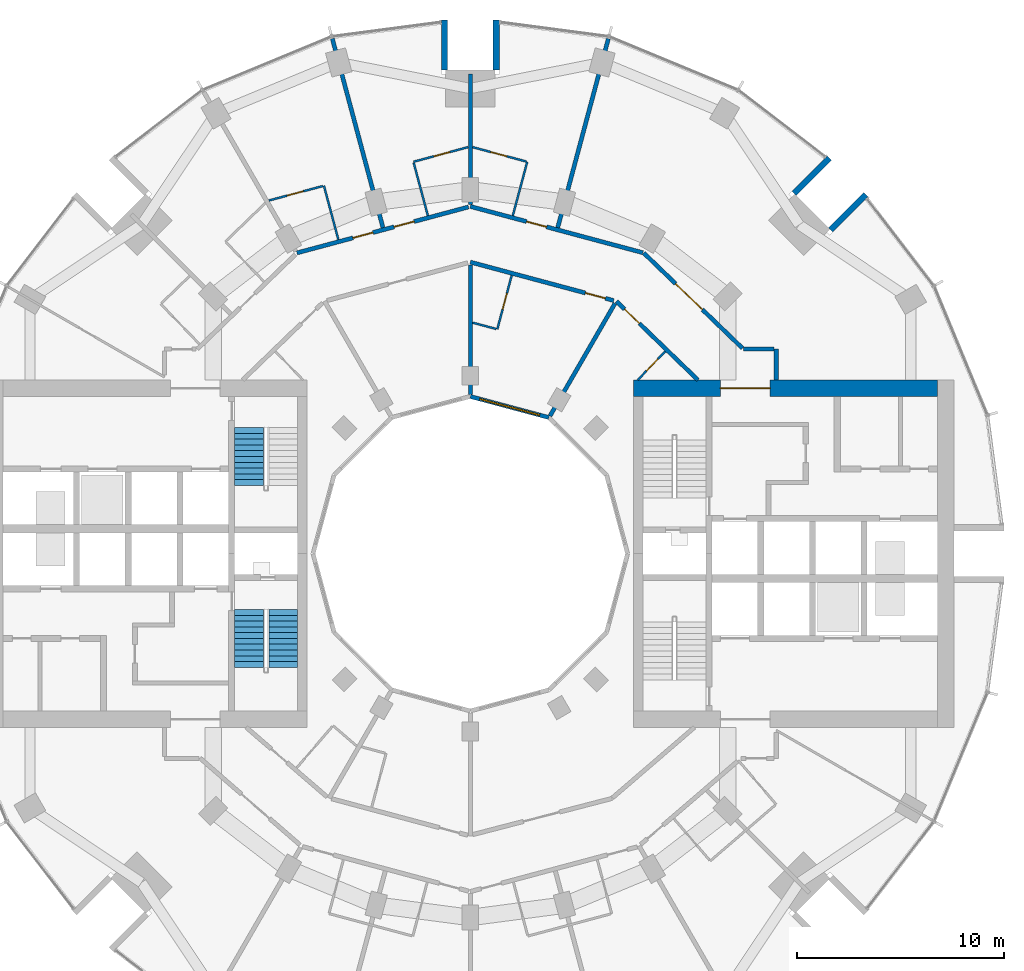
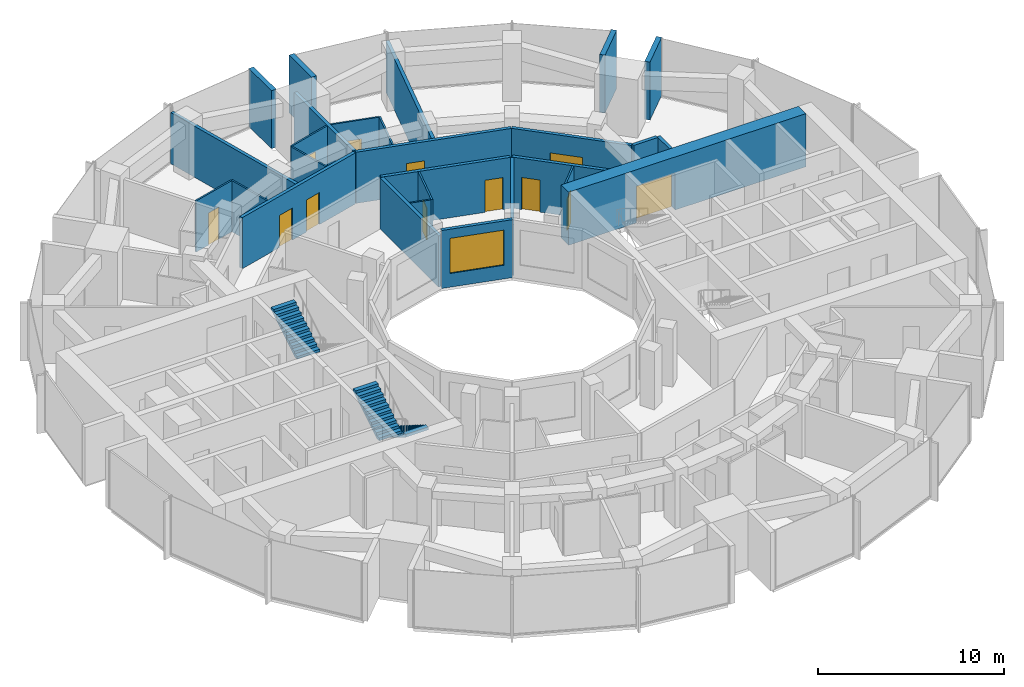
# One storey, part 12 of 15: 27 walls, 12 doors, 3 stair flights, 1 window, 13 openings, 2 elements without a shape of their own.
"""IFC4 building model written with IfcOpenShell, lengths in metres."""

from ifc_helpers import new_model, si_unit, direction, frame, frame_2d, origin, place, context, subcontext, project, spatial, polyline, rectangle, outline, extrude, material, layer, layer_set, type_object, element, fill, aggregate, save


model = new_model("IFC4")

# Units and contexts
model_context = context("Model", 3, precision=1e-05, world=origin(), true_north=direction((0.0, 1.0)))
body_context = subcontext(model_context, "Body", "Model", "MODEL_VIEW")
ifc_project = project(units=[si_unit("LENGTHUNIT", "METRE"), si_unit("AREAUNIT", "SQUARE_METRE"), si_unit("VOLUMEUNIT", "CUBIC_METRE"), si_unit("PLANEANGLEUNIT", "RADIAN"), si_unit("MASSUNIT", "GRAM", prefix="KILO")], contexts=[model_context])

# Site, building, storey
site_placement = place(None, origin())
site = spatial("IfcSite", under=ifc_project, at=site_placement, CompositionType="ELEMENT")
building_placement = place(site_placement, origin())
building = spatial("IfcBuilding", under=site, at=building_placement, Name="Torre Brocal", CompositionType="ELEMENT")
storey_placement = place(building_placement, frame((0.0, 0.0, 66.800048828125)))
storey = spatial("IfcBuildingStorey", under=building, at=storey_placement, Name="L15", CompositionType="ELEMENT", Elevation=66.800048828125)

# Wall, opening, door
ifc_material_1 = material(Name="Concrete C80", Category="concrete")
ifc_layer_1 = layer(ifc_material_1, 0.800048828125)
ifc_layer_set_1 = layer_set([ifc_layer_1], Name="Concrete C80")
wall_type_1 = type_object("IfcWallType", Name="CORE WALL 800 C80", PredefinedType="SHEAR", material=ifc_layer_set_1)
wall_1_placement = place(storey_placement, frame((87.89990234375, 83.0, 0.0), z_axis=(0.0, 0.0, 1.0), x_axis=(1.0, 0.0, 0.0)))
wall_1 = element("IfcWall", 1, at=wall_1_placement, inside=storey, type_object=wall_type_1, Name="Wall CW800-80", PredefinedType="SHEAR", context=body_context, shape_type="SweptSolid", body=[
    extrude(rectangle(XDim=14.7001953125, YDim=0.800048828125, at=frame_2d((7.35009765625, 0.0))), origin(), (0.0, 0.0, 1.0), 3.47998046875),
])
opening_1_placement = place(wall_1_placement, frame((4.199951171875, 0.0, 0.0)))
opening_1 = element("IfcOpeningElement", 2, at=opening_1_placement, cuts=wall_1, Name="Opening E-D24", PredefinedType="OPENING", context=body_context, shape_type="SweptSolid", body=[
    extrude(rectangle(XDim=2.39990234375, YDim=2.39990234375, at=frame_2d((1.199951171875, 1.199951171875))), frame((0.0, 0.409912109375, 0.0), z_axis=(0.0, -1.0, 0.0), x_axis=(1.0, 0.0, 0.0)), (0.0, 0.0, 1.0), 0.820068359375),
])
ifc_material_2 = material(Name="Steel A653", Category="steel")
door_type_1 = type_object("IfcDoorType", Name="DOUBLE FIRE DOOR FD90 2400X2400", OperationType="DOUBLE_DOOR_SINGLE_SWING", PredefinedType="DOOR", material=ifc_material_2)
door_1_placement = place(opening_1_placement, frame((2.39990234375, 0.0, 0.0), z_axis=(0.0, 0.0, 1.0), x_axis=(-1.0, 0.0, 0.0)))
door_1 = element("IfcDoor", 3, at=door_1_placement, inside=storey, type_object=door_type_1, Name="Door E-D24", OperationType="DOUBLE_DOOR_SINGLE_SWING", OverallHeight=2.39990234375, OverallWidth=2.39990234375, PredefinedType="DOOR", context=body_context, shape_type="SweptSolid", body=[
    extrude(rectangle(XDim=2.39990234375, YDim=2.39990234375, at=frame_2d((1.199951171875, 1.199951171875))), frame((0.0, 0.02490234375, 0.0), z_axis=(0.0, -1.0, 0.0), x_axis=(1.0, 0.0, 0.0)), (0.0, 0.0, 1.0), 0.050048828125),
])
fill(opening_1, door_1)

# Walls
ifc_material_3 = material(Name="Concrete C80", Category="concrete")
ifc_layer_2 = layer(ifc_material_3, 0.300048828125)
ifc_layer_set_2 = layer_set([ifc_layer_2], Name="Concrete C80")
wall_type_2 = type_object("IfcWallType", Name="NOTCH RETURN WALL 300 C80", PredefinedType="NOTDEFINED", material=ifc_layer_set_2)
for number, where, z_axis, x_axis, name in (
    (4, (97.43017578125, 90.662353515625, 0.0), (0.0, 0.0, 1.0), (0.707106781187, 0.707106781187, 0.0), "NOTCH RETURN WALL"),
    (5, (95.662353515625, 92.43017578125, 0.0), (0.0, 0.0, 1.0), (0.707106781187, 0.707106781187, 0.0), "NOTCH RETURN WALL"),
    (6, (81.25, 98.39990234375, 0.0), (0.0, 0.0, 1.0), (0.0, 1.0, 0.0), "NOTCH RETURN WALL"),
    (7, (78.75, 98.39990234375, 0.0), (0.0, 0.0, 1.0), (0.0, 1.0, 0.0), "NOTCH RETURN WALL"),
):
    element("IfcWall", number, at=place(storey_placement, frame(where, z_axis=z_axis, x_axis=x_axis)), inside=storey, type_object=wall_type_2, Name=name, PredefinedType="NOTDEFINED", context=body_context, shape_type="SweptSolid", body=[
        extrude(rectangle(XDim=2.415771484375, YDim=0.300048828125, at=frame_2d((1.2080078125, 0.0))), origin(), (0.0, 0.0, 1.0), 3.800048828125),
    ])

# Wall, opening, door
ifc_material_4 = material(Name="Gypsum board", Category="Gypsum")
ifc_layer_3 = layer(ifc_material_4, 0.10009765625)
ifc_layer_set_3 = layer_set([ifc_layer_3], Name="Gypsum board")
wall_type_3 = type_object("IfcWallType", Name="PARTITION 100", PredefinedType="PARTITIONING", material=ifc_layer_set_3)
wall_2_placement = place(storey_placement, frame((70.25830078125, 92.084716796875, 0.0), z_axis=(0.0, 0.0, 1.0), x_axis=(0.965948051503, 0.258736085224, 0.0)))
wall_2 = element("IfcWall", 8, at=wall_2_placement, inside=storey, type_object=wall_type_3, Name="BATHROOM WALL", PredefinedType="PARTITIONING", context=body_context, shape_type="SweptSolid", body=[
    extrude(rectangle(XDim=2.703369140625, YDim=0.10009765625, at=frame_2d((1.3515625, 0.0))), origin(), (0.0, 0.0, 1.0), 3.349853515625),
])
opening_2_placement = place(wall_2_placement, frame((0.921630859375, 0.0, 0.0)))
opening_2 = element("IfcOpeningElement", 9, at=opening_2_placement, cuts=wall_2, Name="Opening H04-D07", PredefinedType="OPENING", context=body_context, shape_type="SweptSolid", body=[
    extrude(rectangle(XDim=0.800048828125, YDim=2.10009765625, at=frame_2d((0.39990234375, 1.050048828125))), frame((0.0, 0.06005859375, 0.0), z_axis=(0.0, -1.0, 0.0), x_axis=(1.0, 0.0, 0.0)), (0.0, 0.0, 1.0), 0.1201171875),
])
ifc_material_5 = material(Name="Timber", Category="wood")
door_type_2 = type_object("IfcDoorType", Name="BATHROOM DOOR 800X2100", OperationType="SINGLE_SWING_LEFT", PredefinedType="DOOR", material=ifc_material_5)
door_2_placement = place(opening_2_placement, frame((0.800048828125, 0.0, 0.0), z_axis=(0.0, 0.0, 1.0), x_axis=(-1.0, 0.0, 0.0)))
door_2 = element("IfcDoor", 10, at=door_2_placement, inside=storey, type_object=door_type_2, Name="H04-D07", OperationType="SINGLE_SWING_RIGHT", OverallHeight=2.10009765625, OverallWidth=0.800048828125, PredefinedType="DOOR", context=body_context, shape_type="SweptSolid", body=[
    extrude(rectangle(XDim=0.800048828125, YDim=2.10009765625, at=frame_2d((0.39990234375, 1.050048828125))), frame((0.0, 0.02490234375, 0.0), z_axis=(0.0, -1.0, 0.0), x_axis=(1.0, 0.0, 0.0)), (0.0, 0.0, 1.0), 0.050048828125),
])
fill(opening_2, door_2)

# Walls
wall_3_placement = place(storey_placement, frame((72.91796875, 92.797119140625, 0.0), z_axis=(0.0, 0.0, 1.0), x_axis=(0.25867580527, -0.965964195904, 0.0)))
element("IfcWall", 11, at=wall_3_placement, inside=storey, type_object=wall_type_3, Name="BATHROOM WALL", PredefinedType="PARTITIONING", context=body_context, shape_type="SweptSolid", body=[
    extrude(rectangle(XDim=2.69921875, YDim=0.10009765625, at=frame_2d((1.349609375, 0.0))), origin(), (0.0, 0.0, 1.0), 3.349853515625),
])
wall_4_placement = place(storey_placement, frame((77.260009765625, 93.90869140625, 0.0), z_axis=(0.0, 0.0, 1.0), x_axis=(0.258935674139, -0.965894568086, 0.0)))
element("IfcWall", 12, at=wall_4_placement, inside=storey, type_object=wall_type_3, Name="BATHROOM WALL", PredefinedType="PARTITIONING", context=body_context, shape_type="SweptSolid", body=[
    extrude(rectangle(XDim=2.6494140625, YDim=0.10009765625, at=frame_2d((1.32470703125, 0.0))), origin(), (0.0, 0.0, 1.0), 3.349853515625),
])

# Wall, opening, door
wall_5_placement = place(storey_placement, frame((77.2470703125, 93.956787109375, 0.0), z_axis=(0.0, 0.0, 1.0), x_axis=(0.965922199757, 0.258832579125, 0.0)))
wall_5 = element("IfcWall", 13, at=wall_5_placement, inside=storey, type_object=wall_type_3, Name="BATHROOM WALL", PredefinedType="PARTITIONING", context=body_context, shape_type="SweptSolid", body=[
    extrude(rectangle(XDim=2.739990234375, YDim=0.10009765625, at=frame_2d((1.3701171875, 0.0))), origin(), (0.0, 0.0, 1.0), 3.349853515625),
])
opening_3_placement = place(wall_5_placement, frame((1.025146484375, 0.0, 0.0)))
opening_3 = element("IfcOpeningElement", 14, at=opening_3_placement, cuts=wall_5, Name="Opening H04-D05", PredefinedType="OPENING", context=body_context, shape_type="SweptSolid", body=[
    extrude(rectangle(XDim=0.800048828125, YDim=2.10009765625, at=frame_2d((0.39990234375, 1.050048828125))), frame((0.0, 0.06005859375, 0.0), z_axis=(0.0, -1.0, 0.0), x_axis=(1.0, 0.0, 0.0)), (0.0, 0.0, 1.0), 0.1201171875),
])
door_3_placement = place(opening_3_placement, frame((0.800048828125, 0.0, 0.0), z_axis=(0.0, 0.0, 1.0), x_axis=(-1.0, 0.0, 0.0)))
door_3 = element("IfcDoor", 15, at=door_3_placement, inside=storey, type_object=door_type_2, Name="H04-D05", OperationType="SINGLE_SWING_LEFT", OverallHeight=2.10009765625, OverallWidth=0.800048828125, PredefinedType="DOOR", context=body_context, shape_type="SweptSolid", body=[
    extrude(rectangle(XDim=0.800048828125, YDim=2.10009765625, at=frame_2d((0.39990234375, 1.050048828125))), frame((0.0, 0.02490234375, 0.0), z_axis=(0.0, -1.0, 0.0), x_axis=(1.0, 0.0, 0.0)), (0.0, 0.0, 1.0), 0.050048828125),
])
fill(opening_3, door_3)

# Wall
wall_6_placement = place(storey_placement, frame((80.106201171875, 86.176513671875, 0.0), z_axis=(0.0, 0.0, 1.0), x_axis=(0.966002973184, -0.258530957139, 0.0)))
element("IfcWall", 16, at=wall_6_placement, inside=storey, type_object=wall_type_3, Name="BATHROOM WALL", PredefinedType="PARTITIONING", context=body_context, shape_type="SweptSolid", body=[
    extrude(rectangle(XDim=1.18994140625, YDim=0.10009765625, at=frame_2d((0.594970703125, 0.0))), origin(), (0.0, 0.0, 1.0), 3.349853515625),
])

# Wall, opening, door
wall_7_placement = place(storey_placement, frame((80.106201171875, 94.66650390625, 0.0), z_axis=(0.0, 0.0, 1.0), x_axis=(0.96589821458, -0.258922071427, 0.0)))
wall_7 = element("IfcWall", 17, at=wall_7_placement, inside=storey, type_object=wall_type_3, Name="BATHROOM WALL", PredefinedType="PARTITIONING", context=body_context, shape_type="SweptSolid", body=[
    extrude(rectangle(XDim=2.690185546875, YDim=0.10009765625, at=frame_2d((1.34521484375, 0.0))), origin(), (0.0, 0.0, 1.0), 3.349853515625),
])
opening_4_placement = place(wall_7_placement, frame((0.9150390625, 0.0, 0.0)))
opening_4 = element("IfcOpeningElement", 18, at=opening_4_placement, cuts=wall_7, Name="Opening H04-D03", PredefinedType="OPENING", context=body_context, shape_type="SweptSolid", body=[
    extrude(rectangle(XDim=0.800048828125, YDim=2.10009765625, at=frame_2d((0.39990234375, 1.050048828125))), frame((0.0, 0.06005859375, 0.0), z_axis=(0.0, -1.0, 0.0), x_axis=(1.0, 0.0, 0.0)), (0.0, 0.0, 1.0), 0.1201171875),
])
door_4_placement = place(opening_4_placement, frame((0.800048828125, 0.0, 0.0), z_axis=(0.0, 0.0, 1.0), x_axis=(-1.0, 0.0, 0.0)))
door_4 = element("IfcDoor", 19, at=door_4_placement, inside=storey, type_object=door_type_2, Name="H04-D03", OperationType="SINGLE_SWING_RIGHT", OverallHeight=2.10009765625, OverallWidth=0.800048828125, PredefinedType="DOOR", context=body_context, shape_type="SweptSolid", body=[
    extrude(rectangle(XDim=0.800048828125, YDim=2.10009765625, at=frame_2d((0.39990234375, 1.050048828125))), frame((0.0, 0.02490234375, 0.0), z_axis=(0.0, -1.0, 0.0), x_axis=(1.0, 0.0, 0.0)), (0.0, 0.0, 1.0), 0.050048828125),
])
fill(opening_4, door_4)

wall_8_placement = place(storey_placement, frame((81.303955078125, 85.85595703125, 0.0), z_axis=(0.0, 0.0, 1.0), x_axis=(0.25867580527, 0.965964195904, 0.0)))
wall_8 = element("IfcWall", 20, at=wall_8_placement, inside=storey, type_object=wall_type_3, Name="BATHROOM WALL", PredefinedType="PARTITIONING", context=body_context, shape_type="SweptSolid", body=[
    extrude(rectangle(XDim=2.69921875, YDim=0.10009765625, at=frame_2d((1.349609375, 0.0))), origin(), (0.0, 0.0, 1.0), 3.349853515625),
])
opening_5_placement = place(wall_8_placement, frame((0.99951171875, 0.0, 0.0)))
opening_5 = element("IfcOpeningElement", 21, at=opening_5_placement, cuts=wall_8, Name="Opening H04-D16", PredefinedType="OPENING", context=body_context, shape_type="SweptSolid", body=[
    extrude(rectangle(XDim=0.800048828125, YDim=2.10009765625, at=frame_2d((0.39990234375, 1.050048828125))), frame((0.0, 0.06005859375, 0.0), z_axis=(0.0, -1.0, 0.0), x_axis=(1.0, 0.0, 0.0)), (0.0, 0.0, 1.0), 0.1201171875),
])
door_5_placement = place(opening_5_placement, origin())
door_5 = element("IfcDoor", 22, at=door_5_placement, inside=storey, type_object=door_type_2, Name="H04-D16", OperationType="SINGLE_SWING_RIGHT", OverallHeight=2.10009765625, OverallWidth=0.800048828125, PredefinedType="DOOR", context=body_context, shape_type="SweptSolid", body=[
    extrude(rectangle(XDim=0.800048828125, YDim=2.10009765625, at=frame_2d((0.39990234375, 1.050048828125))), frame((0.0, 0.02490234375, 0.0), z_axis=(0.0, -1.0, 0.0), x_axis=(1.0, 0.0, 0.0)), (0.0, 0.0, 1.0), 0.050048828125),
])
fill(opening_5, door_5)

# Wall
wall_9_placement = place(storey_placement, frame((82.053955078125, 91.349609375, 0.0), z_axis=(0.0, 0.0, 1.0), x_axis=(0.258928960762, 0.965896367774, 0.0)))
element("IfcWall", 23, at=wall_9_placement, inside=storey, type_object=wall_type_3, Name="BATHROOM WALL", PredefinedType="PARTITIONING", context=body_context, shape_type="SweptSolid", body=[
    extrude(rectangle(XDim=2.699462890625, YDim=0.10009765625, at=frame_2d((1.349609375, 0.0))), origin(), (0.0, 0.0, 1.0), 3.349853515625),
])

# Wall, opening, door
wall_10_placement = place(storey_placement, frame((88.094970703125, 83.39990234375, 0.0), z_axis=(0.0, 0.0, 1.0), x_axis=(0.694447472534, 0.719543402368, 0.0)))
wall_10 = element("IfcWall", 24, at=wall_10_placement, inside=storey, type_object=wall_type_3, Name="BATHROOM WALL", PredefinedType="PARTITIONING", context=body_context, shape_type="SweptSolid", body=[
    extrude(rectangle(XDim=1.92626953125, YDim=0.10009765625, at=frame_2d((0.963134765625, 0.0))), origin(), (0.0, 0.0, 1.0), 3.349853515625),
])
opening_6_placement = place(wall_10_placement, frame((0.613037109375, 0.0, 0.0)))
opening_6 = element("IfcOpeningElement", 25, at=opening_6_placement, cuts=wall_10, Name="Opening H04-D14", PredefinedType="OPENING", context=body_context, shape_type="SweptSolid", body=[
    extrude(rectangle(XDim=0.800048828125, YDim=2.10009765625, at=frame_2d((0.39990234375, 1.050048828125))), frame((0.0, 0.06005859375, 0.0), z_axis=(0.0, -1.0, 0.0), x_axis=(1.0, 0.0, 0.0)), (0.0, 0.0, 1.0), 0.1201171875),
])
door_6_placement = place(opening_6_placement, frame((0.800048828125, 0.0, 0.0), z_axis=(0.0, 0.0, 1.0), x_axis=(-1.0, 0.0, 0.0)))
door_6 = element("IfcDoor", 26, at=door_6_placement, inside=storey, type_object=door_type_2, Name="H04-D14", OperationType="SINGLE_SWING_LEFT", OverallHeight=2.10009765625, OverallWidth=0.800048828125, PredefinedType="DOOR", context=body_context, shape_type="SweptSolid", body=[
    extrude(rectangle(XDim=0.800048828125, YDim=2.10009765625, at=frame_2d((0.39990234375, 1.050048828125))), frame((0.0, 0.02490234375, 0.0), z_axis=(0.0, -1.0, 0.0), x_axis=(1.0, 0.0, 0.0)), (0.0, 0.0, 1.0), 0.050048828125),
])
fill(opening_6, door_6)

# Wall, openings, doors
ifc_material_6 = material(Name="Gypsum board", Category="Gypsum")
ifc_layer_4 = layer(ifc_material_6, 0.199951171875)
ifc_layer_set_4 = layer_set([ifc_layer_4], Name="Gypsum board")
wall_type_4 = type_object("IfcWallType", Name="PARTITION 200 EI60", PredefinedType="PARTITIONING", material=ifc_layer_set_4)
wall_11_placement = place(storey_placement, frame((71.61376953125, 89.5498046875, 0.0), z_axis=(0.0, 0.0, 1.0), x_axis=(0.965982156828, 0.258608725086, 0.0)))
wall_11 = element("IfcWall", 27, at=wall_11_placement, inside=storey, type_object=wall_type_4, Name="GUESTROOM CORRIDOR WALL", PredefinedType="PARTITIONING", context=body_context, shape_type="SweptSolid", body=[
    extrude(rectangle(XDim=8.591796875, YDim=0.199951171875, at=frame_2d((4.2958984375, 0.0))), origin(), (0.0, 0.0, 1.0), 3.349853515625),
])
opening_7_placement = place(wall_11_placement, frame((4.864990234375, 0.0, 0.0)))
opening_7 = element("IfcOpeningElement", 28, at=opening_7_placement, cuts=wall_11, Name="Opening H04-D04", PredefinedType="OPENING", context=body_context, shape_type="SweptSolid", body=[
    extrude(rectangle(XDim=1.0, YDim=2.10009765625, at=frame_2d((0.5, 1.050048828125))), frame((0.0, 0.10986328125, 0.0), z_axis=(0.0, -1.0, 0.0), x_axis=(1.0, 0.0, 0.0)), (0.0, 0.0, 1.0), 0.219970703125),
])
opening_8_placement = place(wall_11_placement, frame((2.804443359375, 0.0, 0.0)))
opening_8 = element("IfcOpeningElement", 29, at=opening_8_placement, cuts=wall_11, Name="Opening H04-D06", PredefinedType="OPENING", context=body_context, shape_type="SweptSolid", body=[
    extrude(rectangle(XDim=1.0, YDim=2.10009765625, at=frame_2d((0.5, 1.050048828125))), frame((0.0, 0.10986328125, 0.0), z_axis=(0.0, -1.0, 0.0), x_axis=(1.0, 0.0, 0.0)), (0.0, 0.0, 1.0), 0.219970703125),
])
ifc_material_7 = material(Name="Timber", Category="wood")
door_type_3 = type_object("IfcDoorType", Name="FLAT ENTRY DOOR FD30S 1000X2100", OperationType="SINGLE_SWING_RIGHT", PredefinedType="DOOR", material=ifc_material_7)
door_7_placement = place(opening_7_placement, origin())
door_7 = element("IfcDoor", 30, at=door_7_placement, inside=storey, type_object=door_type_3, Name="H04-D04", OperationType="SINGLE_SWING_LEFT", OverallHeight=2.10009765625, OverallWidth=1.0, PredefinedType="DOOR", context=body_context, shape_type="SweptSolid", body=[
    extrude(rectangle(XDim=1.0, YDim=2.10009765625, at=frame_2d((0.5, 1.050048828125))), frame((0.0, 0.02490234375, 0.0), z_axis=(0.0, -1.0, 0.0), x_axis=(1.0, 0.0, 0.0)), (0.0, 0.0, 1.0), 0.050048828125),
])
fill(opening_7, door_7)
door_8_placement = place(opening_8_placement, origin())
door_8 = element("IfcDoor", 31, at=door_8_placement, inside=storey, type_object=door_type_3, Name="H04-D06", OperationType="SINGLE_SWING_RIGHT", OverallHeight=2.10009765625, OverallWidth=1.0, PredefinedType="DOOR", context=body_context, shape_type="SweptSolid", body=[
    extrude(rectangle(XDim=1.0, YDim=2.10009765625, at=frame_2d((0.5, 1.050048828125))), frame((0.0, 0.02490234375, 0.0), z_axis=(0.0, -1.0, 0.0), x_axis=(1.0, 0.0, 0.0)), (0.0, 0.0, 1.0), 0.050048828125),
])
fill(opening_8, door_8)

# Walls
wall_12_placement = place(storey_placement, frame((73.322998046875, 99.919189453125, 0.0), z_axis=(0.0, 0.0, 1.0), x_axis=(0.258817230439, -0.965926312525, 0.0)))
element("IfcWall", 32, at=wall_12_placement, inside=storey, type_object=wall_type_4, Name="PARTY PARTITION", PredefinedType="PARTITIONING", context=body_context, shape_type="SweptSolid", body=[
    extrude(rectangle(XDim=9.474365234375, YDim=0.199951171875, at=frame_2d((4.7373046875, 0.0))), origin(), (0.0, 0.0, 1.0), 3.349853515625),
])
wall_13_placement = place(storey_placement, frame((80.0, 82.698974609375, 0.0), z_axis=(0.0, 0.0, 1.0), x_axis=(0.0, 1.0, 0.0)))
element("IfcWall", 33, at=wall_13_placement, inside=storey, type_object=wall_type_4, Name="BATHROOM WALL", PredefinedType="PARTITIONING", context=body_context, shape_type="SweptSolid", body=[
    extrude(rectangle(XDim=6.275146484375, YDim=0.199951171875, at=frame_2d((3.1376953125, 0.0))), origin(), (0.0, 0.0, 1.0), 3.349853515625),
])

# Wall, opening, door
wall_14_placement = place(storey_placement, frame((80.0, 89.10400390625, 0.0), z_axis=(0.0, 0.0, 1.0), x_axis=(0.965854247166, -0.25908603442, 0.0)))
wall_14 = element("IfcWall", 34, at=wall_14_placement, inside=storey, type_object=wall_type_4, Name="GUESTROOM CORRIDOR WALL", PredefinedType="PARTITIONING", context=body_context, shape_type="SweptSolid", body=[
    extrude(rectangle(XDim=7.183349609375, YDim=0.199951171875, at=frame_2d((3.591796875, 0.0))), origin(), (0.0, 0.0, 1.0), 3.349853515625),
])
opening_9_placement = place(wall_14_placement, frame((5.76318359375, 0.0, 0.0)))
opening_9 = element("IfcOpeningElement", 35, at=opening_9_placement, cuts=wall_14, Name="Opening H04-D15", PredefinedType="OPENING", context=body_context, shape_type="SweptSolid", body=[
    extrude(rectangle(XDim=1.0, YDim=2.10009765625, at=frame_2d((0.5, 1.050048828125))), frame((0.0, 0.10986328125, 0.0), z_axis=(0.0, -1.0, 0.0), x_axis=(1.0, 0.0, 0.0)), (0.0, 0.0, 1.0), 0.219970703125),
])
door_9_placement = place(opening_9_placement, frame((1.0, 0.0, 0.0), z_axis=(0.0, 0.0, 1.0), x_axis=(-1.0, 0.0, 0.0)))
door_9 = element("IfcDoor", 36, at=door_9_placement, inside=storey, type_object=door_type_3, Name="H04-D15", OperationType="SINGLE_SWING_LEFT", OverallHeight=2.10009765625, OverallWidth=1.0, PredefinedType="DOOR", context=body_context, shape_type="SweptSolid", body=[
    extrude(rectangle(XDim=1.0, YDim=2.10009765625, at=frame_2d((0.5, 1.050048828125))), frame((0.0, 0.02490234375, 0.0), z_axis=(0.0, -1.0, 0.0), x_axis=(1.0, 0.0, 0.0)), (0.0, 0.0, 1.0), 0.050048828125),
])
fill(opening_9, door_9)

# Wall
wall_15_placement = place(storey_placement, frame((80.0, 91.885986328125, 0.0), z_axis=(0.0, 0.0, 1.0), x_axis=(0.0, 1.0, 0.0)))
element("IfcWall", 37, at=wall_15_placement, inside=storey, type_object=wall_type_4, Name="BATHROOM WALL", PredefinedType="PARTITIONING", context=body_context, shape_type="SweptSolid", body=[
    extrude(rectangle(XDim=6.31396484375, YDim=0.199951171875, at=frame_2d((3.156982421875, 0.0))), origin(), (0.0, 0.0, 1.0), 3.349853515625),
])

# Wall, opening, door
wall_16_placement = place(storey_placement, frame((80.0, 91.79638671875, 0.0), z_axis=(0.0, 0.0, 1.0), x_axis=(0.965891796243, -0.258946013582, 0.0)))
wall_16 = element("IfcWall", 38, at=wall_16_placement, inside=storey, type_object=wall_type_4, Name="GUESTROOM CORRIDOR WALL", PredefinedType="PARTITIONING", context=body_context, shape_type="SweptSolid", body=[
    extrude(rectangle(XDim=8.641845703125, YDim=0.199951171875, at=frame_2d((4.32080078125, 0.0))), origin(), (0.0, 0.0, 1.0), 3.349853515625),
])
opening_10_placement = place(wall_16_placement, frame((2.816650390625, 0.0, 0.0)))
opening_10 = element("IfcOpeningElement", 39, at=opening_10_placement, cuts=wall_16, Name="Opening H04-D02", PredefinedType="OPENING", context=body_context, shape_type="SweptSolid", body=[
    extrude(rectangle(XDim=1.0, YDim=2.10009765625, at=frame_2d((0.5, 1.050048828125))), frame((0.0, 0.10986328125, 0.0), z_axis=(0.0, -1.0, 0.0), x_axis=(1.0, 0.0, 0.0)), (0.0, 0.0, 1.0), 0.219970703125),
])
door_10_placement = place(opening_10_placement, origin())
door_10 = element("IfcDoor", 40, at=door_10_placement, inside=storey, type_object=door_type_3, Name="H04-D02", OperationType="SINGLE_SWING_RIGHT", OverallHeight=2.10009765625, OverallWidth=1.0, PredefinedType="DOOR", context=body_context, shape_type="SweptSolid", body=[
    extrude(rectangle(XDim=1.0, YDim=2.10009765625, at=frame_2d((0.5, 1.050048828125))), frame((0.0, 0.02490234375, 0.0), z_axis=(0.0, -1.0, 0.0), x_axis=(1.0, 0.0, 0.0)), (0.0, 0.0, 1.0), 0.050048828125),
])
fill(opening_10, door_10)

# Walls
wall_17_placement = place(storey_placement, frame((83.8544921875, 81.663818359375, 0.0), z_axis=(0.0, 0.0, 1.0), x_axis=(0.500224530691, 0.865895732115, 0.0)))
element("IfcWall", 41, at=wall_17_placement, inside=storey, type_object=wall_type_4, Name="PARTY PARTITION", PredefinedType="PARTITIONING", context=body_context, shape_type="SweptSolid", body=[
    extrude(rectangle(XDim=6.28515625, YDim=0.199951171875, at=frame_2d((3.142578125, 0.0))), origin(), (0.0, 0.0, 1.0), 3.349853515625),
])
wall_18_placement = place(storey_placement, frame((84.225830078125, 90.768310546875, 0.0), z_axis=(0.0, 0.0, 1.0), x_axis=(0.258891088655, 0.965906519398, 0.0)))
element("IfcWall", 42, at=wall_18_placement, inside=storey, type_object=wall_type_4, Name="PARTY PARTITION", PredefinedType="PARTITIONING", context=body_context, shape_type="SweptSolid", body=[
    extrude(rectangle(XDim=9.4736328125, YDim=0.199951171875, at=frame_2d((4.73681640625, 0.0))), origin(), (0.0, 0.0, 1.0), 3.349853515625),
])

# Wall, opening, door
wall_19_placement = place(storey_placement, frame((87.06396484375, 87.2109375, 0.0), z_axis=(0.0, 0.0, 1.0), x_axis=(0.719540958932, -0.694450004262, 0.0)))
wall_19 = element("IfcWall", 43, at=wall_19_placement, inside=storey, type_object=wall_type_4, Name="GUESTROOM CORRIDOR WALL", PredefinedType="PARTITIONING", context=body_context, shape_type="SweptSolid", body=[
    extrude(rectangle(XDim=5.48779296875, YDim=0.199951171875, at=frame_2d((2.743896484375, 0.0))), origin(), (0.0, 0.0, 1.0), 3.349853515625),
])
opening_11_placement = place(wall_19_placement, frame((0.550048828125, 0.0, 0.0)))
opening_11 = element("IfcOpeningElement", 44, at=opening_11_placement, cuts=wall_19, Name="Opening H04-D13", PredefinedType="OPENING", context=body_context, shape_type="SweptSolid", body=[
    extrude(rectangle(XDim=1.0, YDim=2.10009765625, at=frame_2d((0.5, 1.050048828125))), frame((0.0, 0.10986328125, 0.0), z_axis=(0.0, -1.0, 0.0), x_axis=(1.0, 0.0, 0.0)), (0.0, 0.0, 1.0), 0.219970703125),
])
door_11_placement = place(opening_11_placement, frame((1.0, 0.0, 0.0), z_axis=(0.0, 0.0, 1.0), x_axis=(-1.0, 0.0, 0.0)))
door_11 = element("IfcDoor", 45, at=door_11_placement, inside=storey, type_object=door_type_3, Name="H04-D13", OperationType="SINGLE_SWING_RIGHT", OverallHeight=2.10009765625, OverallWidth=1.0, PredefinedType="DOOR", context=body_context, shape_type="SweptSolid", body=[
    extrude(rectangle(XDim=1.0, YDim=2.10009765625, at=frame_2d((0.5, 1.050048828125))), frame((0.0, 0.02490234375, 0.0), z_axis=(0.0, -1.0, 0.0), x_axis=(1.0, 0.0, 0.0)), (0.0, 0.0, 1.0), 0.050048828125),
])
fill(opening_11, door_11)

wall_20_placement = place(storey_placement, frame((88.385986328125, 89.548828125, 0.0), z_axis=(0.0, 0.0, 1.0), x_axis=(0.719560576741, -0.694429677073, 0.0)))
wall_20 = element("IfcWall", 46, at=wall_20_placement, inside=storey, type_object=wall_type_4, Name="CORRIDOR WALL", PredefinedType="PARTITIONING", context=body_context, shape_type="SweptSolid", body=[
    extrude(rectangle(XDim=6.63525390625, YDim=0.199951171875, at=frame_2d((3.317626953125, 0.0))), origin(), (0.0, 0.0, 1.0), 3.349853515625),
])
opening_12_placement = place(wall_20_placement, frame((2.147216796875, 0.0, 0.0)))
opening_12 = element("IfcOpeningElement", 47, at=opening_12_placement, cuts=wall_20, Name="Opening H04-D01", PredefinedType="OPENING", context=body_context, shape_type="SweptSolid", body=[
    extrude(rectangle(XDim=1.800048828125, YDim=2.10009765625, at=frame_2d((0.89990234375, 1.050048828125))), frame((0.0, 0.10986328125, 0.0), z_axis=(0.0, -1.0, 0.0), x_axis=(1.0, 0.0, 0.0)), (0.0, 0.0, 1.0), 0.219970703125),
])
ifc_material_8 = material(Name="Timber", Category="wood")
door_type_4 = type_object("IfcDoorType", Name="DOUBLE DOOR 1800X2100", OperationType="DOUBLE_DOOR_SINGLE_SWING", PredefinedType="DOOR", material=ifc_material_8)
door_12_placement = place(opening_12_placement, origin())
door_12 = element("IfcDoor", 48, at=door_12_placement, inside=storey, type_object=door_type_4, Name="H04-D01", OperationType="DOUBLE_DOOR_SINGLE_SWING", OverallHeight=2.10009765625, OverallWidth=1.800048828125, PredefinedType="DOOR", context=body_context, shape_type="SweptSolid", body=[
    extrude(rectangle(XDim=1.800048828125, YDim=2.10009765625, at=frame_2d((0.89990234375, 1.050048828125))), frame((0.0, 0.02490234375, 0.0), z_axis=(0.0, -1.0, 0.0), x_axis=(1.0, 0.0, 0.0)), (0.0, 0.0, 1.0), 0.050048828125),
])
fill(opening_12, door_12)

# Walls
wall_21_placement = place(storey_placement, frame((93.2041015625, 84.89990234375, 0.0), z_axis=(0.0, 0.0, 1.0), x_axis=(1.0, 0.0, 0.0)))
element("IfcWall", 49, at=wall_21_placement, inside=storey, type_object=wall_type_4, Name="CORRIDOR WALL", PredefinedType="PARTITIONING", context=body_context, shape_type="SweptSolid", body=[
    extrude(rectangle(XDim=1.495849609375, YDim=0.199951171875, at=frame_2d((0.748046875, 0.0))), origin(), (0.0, 0.0, 1.0), 3.349853515625),
])
wall_22_placement = place(storey_placement, frame((94.800048828125, 83.40087890625, 0.0), z_axis=(0.0, 0.0, 1.0), x_axis=(0.0, 1.0, 0.0)))
element("IfcWall", 50, at=wall_22_placement, inside=storey, type_object=wall_type_4, Name="CORRIDOR WALL", PredefinedType="PARTITIONING", context=body_context, shape_type="SweptSolid", body=[
    extrude(rectangle(XDim=1.4990234375, YDim=0.199951171875, at=frame_2d((0.74951171875, 0.0))), origin(), (0.0, 0.0, 1.0), 3.349853515625),
])

# Wall, opening, window
ifc_material_9 = material(Name="Concrete C40", Category="concrete")
ifc_layer_5 = layer(ifc_material_9, 0.199951171875)
ifc_layer_set_5 = layer_set([ifc_layer_5], Name="Concrete C40")
wall_type_5 = type_object("IfcWallType", Name="WELL FACADE WALL 200", PredefinedType="NOTDEFINED", material=ifc_layer_set_5)
wall_23_placement = place(storey_placement, frame((83.8017578125, 81.5849609375, 0.0), z_axis=(0.0, 0.0, 1.0), x_axis=(-0.965933654434, 0.258789828301, 0.0)))
wall_23 = element("IfcWall", 51, at=wall_23_placement, inside=storey, type_object=wall_type_5, Name="WELL FACADE WALL", PredefinedType="NOTDEFINED", context=body_context, shape_type="SweptSolid", body=[
    extrude(rectangle(XDim=3.935791015625, YDim=0.199951171875, at=frame_2d((1.9677734375, 0.0))), origin(), (0.0, 0.0, 1.0), 3.800048828125),
])
opening_13_placement = place(wall_23_placement, frame((0.468017578125, 0.0, 0.89990234375)))
opening_13 = element("IfcOpeningElement", 52, at=opening_13_placement, cuts=wall_23, Name="Opening W1", PredefinedType="OPENING", context=body_context, shape_type="SweptSolid", body=[
    extrude(rectangle(XDim=3.0, YDim=2.300048828125, at=frame_2d((1.5, 1.14990234375))), frame((0.0, 0.10986328125, 0.0), z_axis=(0.0, -1.0, 0.0), x_axis=(1.0, 0.0, 0.0)), (0.0, 0.0, 1.0), 0.219970703125),
])
ifc_material_10 = material(Name="Aluminium and glass", Category="aluminium")
window_type = type_object("IfcWindowType", Name="WELL WINDOW 3000X2300", PartitioningType="SINGLE_PANEL", PredefinedType="WINDOW", material=ifc_material_10)
window_placement = place(opening_13_placement, origin())
window = element("IfcWindow", 53, at=window_placement, inside=storey, type_object=window_type, Name="WELL WINDOW 3000X2300", OverallHeight=2.300048828125, OverallWidth=3.0, PartitioningType="SINGLE_PANEL", PredefinedType="WINDOW", context=body_context, shape_type="SweptSolid", body=[
    extrude(rectangle(XDim=3.0, YDim=2.300048828125, at=frame_2d((1.5, 1.14990234375))), frame((0.0, 0.030029296875, 0.0), z_axis=(0.0, -1.0, 0.0), x_axis=(1.0, 0.0, 0.0)), (0.0, 0.0, 1.0), 0.06005859375),
])
fill(opening_13, window)

# Stair, stair flights
ifc_material_11 = material(Name="Concrete C50", Category="concrete")
stair_type = type_object("IfcStairType", Name="EXIT STAIR", PredefinedType="HALF_TURN_STAIR", material=ifc_material_11)
stair_1_placement = place(storey_placement, origin())
stair_1 = element("IfcStair", 54, at=stair_1_placement, inside=storey, type_object=stair_type, Name="EXIT STAIR ST3", PredefinedType="HALF_TURN_STAIR")
ifc_material_12 = material(Name="Concrete C50", Category="concrete")
ifc_layer_6 = layer(ifc_material_12, 0.14990234375)
ifc_layer_set_6 = layer_set([ifc_layer_6], Name="Concrete C50")
stair_flight_type = type_object("IfcStairFlightType", Name="STAIR FLIGHT", PredefinedType="STRAIGHT", material=ifc_layer_set_6)
stair_flight_1_placement = place(storey_placement, frame((70.949951171875, 72.300048828125, 0.0), z_axis=(0.0, 0.0, 1.0), x_axis=(0.0, -1.0, 0.0)))
stair_flight_1 = element("IfcStairFlight", 55, at=stair_flight_1_placement, type_object=stair_flight_type, Name="ST3 flight 1", NumberOfRisers=11, NumberOfTreads=10, PredefinedType="STRAIGHT", RiserHeight=0.172727273, TreadLength=0.28, context=body_context, shape_type="SweptSolid", body=[
    extrude(outline(polyline([(0.0, 0.0), (0.0, 0.172607421875), (0.280029296875, 0.172607421875), (0.280029296875, 0.345458984375), (0.56005859375, 0.345458984375), (0.56005859375, 0.51806640625), (0.840087890625, 0.51806640625), (0.840087890625, 0.69091796875), (1.1201171875, 0.69091796875), (1.1201171875, 0.863525390625), (1.39990234375, 0.863525390625), (1.39990234375, 1.036376953125), (1.679931640625, 1.036376953125), (1.679931640625, 1.208984375), (1.9599609375, 1.208984375), (1.9599609375, 1.3818359375), (2.239990234375, 1.3818359375), (2.239990234375, 1.554443359375), (2.52001953125, 1.554443359375), (2.52001953125, 1.727294921875), (2.800048828125, 1.727294921875), (2.800048828125, 1.89990234375), (2.800048828125, 1.551025390625), (0.285400390625, 0.0), (0.0, 0.0)])), frame((0.0, 0.699951171875, 0.0), z_axis=(0.0, -1.0, 0.0), x_axis=(1.0, 0.0, 0.0)), (0.0, 0.0, 1.0), 1.39990234375),
])
stair_flight_2_placement = place(storey_placement, frame((69.300048828125, 69.5, 1.89990234375), z_axis=(0.0, 0.0, 1.0), x_axis=(0.0, 1.0, 0.0)))
stair_flight_2 = element("IfcStairFlight", 56, at=stair_flight_2_placement, type_object=stair_flight_type, Name="ST3 flight 2", NumberOfRisers=11, NumberOfTreads=10, PredefinedType="STRAIGHT", RiserHeight=0.172727273, TreadLength=0.28, context=body_context, shape_type="SweptSolid", body=[
    extrude(outline(polyline([(0.0, 0.0), (0.0, 0.172607421875), (0.280029296875, 0.172607421875), (0.280029296875, 0.345458984375), (0.56005859375, 0.345458984375), (0.56005859375, 0.51806640625), (0.840087890625, 0.51806640625), (0.840087890625, 0.69091796875), (1.1201171875, 0.69091796875), (1.1201171875, 0.863525390625), (1.39990234375, 0.863525390625), (1.39990234375, 1.036376953125), (1.679931640625, 1.036376953125), (1.679931640625, 1.208984375), (1.9599609375, 1.208984375), (1.9599609375, 1.3818359375), (2.239990234375, 1.3818359375), (2.239990234375, 1.554443359375), (2.52001953125, 1.554443359375), (2.52001953125, 1.727294921875), (2.800048828125, 1.727294921875), (2.800048828125, 1.89990234375), (2.800048828125, 1.551025390625), (0.285400390625, 0.0), (0.0, 0.0)])), frame((0.0, 0.699951171875, 0.0), z_axis=(0.0, -1.0, 0.0), x_axis=(1.0, 0.0, 0.0)), (0.0, 0.0, 1.0), 1.39990234375),
])
aggregate(stair_1, [stair_flight_1, stair_flight_2])

# Stair, stair flight
stair_2_placement = place(storey_placement, origin())
stair_2 = element("IfcStair", 57, at=stair_2_placement, inside=storey, type_object=stair_type, Name="EXIT STAIR ST4", PredefinedType="HALF_TURN_STAIR")
stair_flight_3_placement = place(storey_placement, frame((69.300048828125, 78.300048828125, 1.89990234375), z_axis=(0.0, 0.0, 1.0), x_axis=(0.0, 1.0, 0.0)))
stair_flight_3 = element("IfcStairFlight", 58, at=stair_flight_3_placement, type_object=stair_flight_type, Name="ST4 flight 2", NumberOfRisers=11, NumberOfTreads=10, PredefinedType="STRAIGHT", RiserHeight=0.172727273, TreadLength=0.28, context=body_context, shape_type="SweptSolid", body=[
    extrude(outline(polyline([(0.0, 0.0), (0.0, 0.172607421875), (0.280029296875, 0.172607421875), (0.280029296875, 0.345458984375), (0.56005859375, 0.345458984375), (0.56005859375, 0.51806640625), (0.840087890625, 0.51806640625), (0.840087890625, 0.69091796875), (1.1201171875, 0.69091796875), (1.1201171875, 0.863525390625), (1.39990234375, 0.863525390625), (1.39990234375, 1.036376953125), (1.679931640625, 1.036376953125), (1.679931640625, 1.208984375), (1.9599609375, 1.208984375), (1.9599609375, 1.3818359375), (2.239990234375, 1.3818359375), (2.239990234375, 1.554443359375), (2.52001953125, 1.554443359375), (2.52001953125, 1.727294921875), (2.800048828125, 1.727294921875), (2.800048828125, 1.89990234375), (2.800048828125, 1.551025390625), (0.285400390625, 0.0), (0.0, 0.0)])), frame((0.0, 0.699951171875, 0.0), z_axis=(0.0, -1.0, 0.0), x_axis=(1.0, 0.0, 0.0)), (0.0, 0.0, 1.0), 1.39990234375),
])
aggregate(stair_2, [stair_flight_3])

save(model, "model.ifc")
